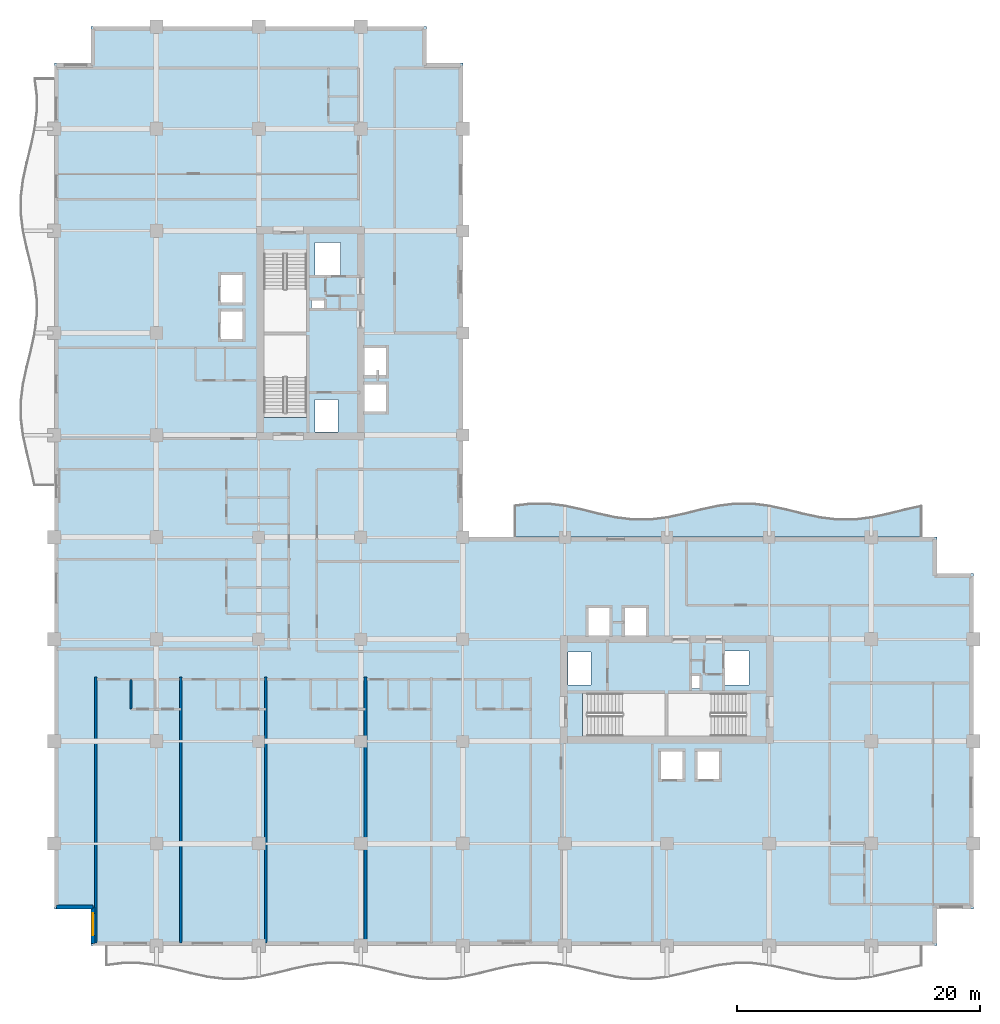
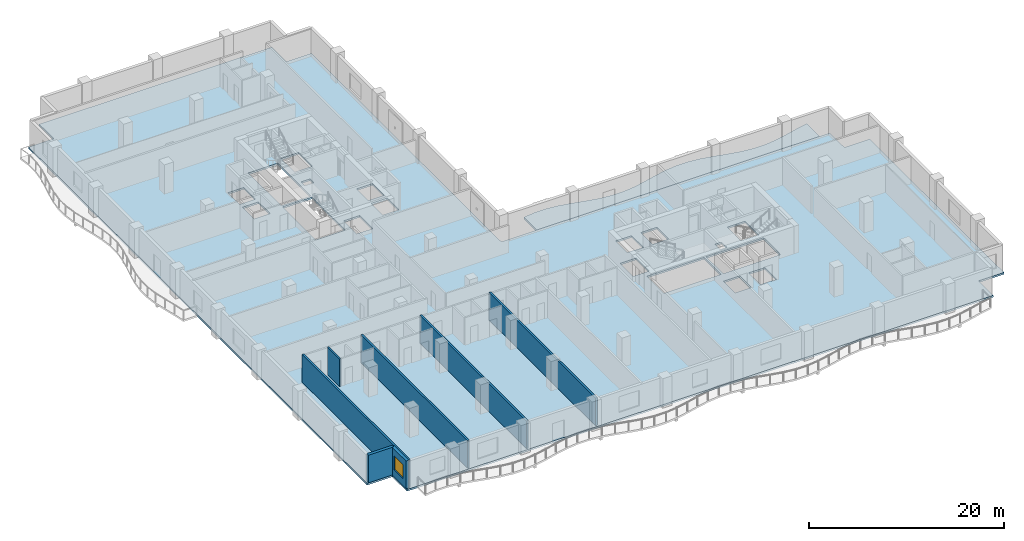
# One storey, part 3 of 15: 7 walls, 2 slabs, 1 window, 1 opening.
"""IFC4 building model written with IfcOpenShell, lengths in metres."""

from ifc_helpers import new_model, si_unit, direction, frame, frame_2d, origin, place, context, subcontext, project, spatial, polyline, rectangle, outline, extrude, material, layer, layer_set, type_object, element, fill, save


model = new_model("IFC4")

# Units and contexts
model_context = context("Model", 3, precision=1e-05, world=origin(), true_north=direction((0.0, 1.0)))
body_context = subcontext(model_context, "Body", "Model", "MODEL_VIEW")
ifc_project = project(units=[si_unit("LENGTHUNIT", "METRE"), si_unit("AREAUNIT", "SQUARE_METRE"), si_unit("VOLUMEUNIT", "CUBIC_METRE"), si_unit("PLANEANGLEUNIT", "RADIAN"), si_unit("MASSUNIT", "GRAM", prefix="KILO")], contexts=[model_context])

# Site, building, storey
site_placement = place(None, origin())
site = spatial("IfcSite", under=ifc_project, at=site_placement, CompositionType="ELEMENT")
building_placement = place(site_placement, origin())
building = spatial("IfcBuilding", under=site, at=building_placement, Name="Koriwani Terraces Tower", CompositionType="ELEMENT")
storey_placement = place(building_placement, frame((0.0, 0.0, 193.89990234375)))
storey = spatial("IfcBuildingStorey", under=building, at=storey_placement, Name="L47", CompositionType="ELEMENT", Elevation=193.89990234375)

# Slabs
ifc_material_1 = material(Name="Concrete C40/50", Category="concrete")
ifc_layer_1 = layer(ifc_material_1, 0.219970703125, Name="Concrete C40/50")
ifc_layer_set_1 = layer_set([ifc_layer_1], Name="Concrete C40/50")
slab_type_1 = type_object("IfcSlabType", Name="SLAB_BALCONY_220", PredefinedType="FLOOR", material=ifc_layer_set_1)
slab_1_placement = place(storey_placement, frame((0.0, 0.0, -0.219970703125)))
element("IfcSlab", 1, at=slab_1_placement, inside=storey, type_object=slab_type_1, Name="L47 Quilted Circular-Arc Balcony (NE)", PredefinedType="FLOOR", context=body_context, shape_type="SweptSolid", body=[
    extrude(outline(polyline([(71.39990234375, 33.60009765625), (70.0, 33.60009765625), (68.60009765625, 33.60009765625), (67.199951171875, 33.60009765625), (65.800048828125, 33.60009765625), (64.39990234375, 33.60009765625), (63.0, 33.60009765625), (61.60009765625, 33.60009765625), (60.199951171875, 33.60009765625), (58.800048828125, 33.60009765625), (57.39990234375, 33.60009765625), (56.0, 33.60009765625), (54.60009765625, 33.60009765625), (53.199951171875, 33.60009765625), (51.800048828125, 33.60009765625), (50.39990234375, 33.60009765625), (49.0, 33.60009765625), (47.60009765625, 33.60009765625), (46.199951171875, 33.60009765625), (44.800048828125, 33.60009765625), (43.39990234375, 33.60009765625), (42.0, 33.60009765625), (40.60009765625, 33.60009765625), (39.199951171875, 33.60009765625), (37.800048828125, 33.60009765625), (37.800048828125, 36.252197265625), (39.199951171875, 36.427001953125), (40.60009765625, 36.427001953125), (42.0, 36.252197265625), (43.39990234375, 35.94970703125), (44.800048828125, 35.600341796875), (46.199951171875, 35.297607421875), (47.60009765625, 35.123046875), (49.0, 35.123046875), (50.39990234375, 35.297607421875), (51.800048828125, 35.600341796875), (53.199951171875, 35.94970703125), (54.60009765625, 36.252197265625), (56.0, 36.427001953125), (57.39990234375, 36.427001953125), (58.800048828125, 36.252197265625), (60.199951171875, 35.94970703125), (61.60009765625, 35.600341796875), (63.0, 35.297607421875), (64.39990234375, 35.123046875), (65.800048828125, 35.123046875), (67.199951171875, 35.297607421875), (68.60009765625, 35.600341796875), (70.0, 35.94970703125), (71.39990234375, 36.252197265625), (71.39990234375, 33.60009765625)])), origin(), (0.0, 0.0, 1.0), 0.219970703125),
])
ifc_layer_2 = layer(ifc_material_1, 0.22998046875, Name="Concrete C40/50")
ifc_layer_set_2 = layer_set([ifc_layer_2], Name="Concrete C40/50")
slab_type_2 = type_object("IfcSlabType", Name="SLAB_RES_TYP_230", PredefinedType="FLOOR", material=ifc_layer_set_2)
slab_2_placement = place(storey_placement, frame((0.0, 0.0, -0.22998046875)))
element("IfcSlab", 2, at=slab_2_placement, inside=storey, type_object=slab_type_2, Name="L47 Structural Floor Slab", PredefinedType="FLOOR", context=body_context, shape_type="SweptSolid", body=[
    extrude(outline(polyline([(3.0, 0.0), (72.60009765625, 0.0), (72.60009765625, 3.0), (75.60009765625, 3.0), (75.60009765625, 30.60009765625), (72.60009765625, 30.60009765625), (72.60009765625, 33.60009765625), (33.60009765625, 33.60009765625), (33.60009765625, 72.60009765625), (30.60009765625, 72.60009765625), (30.60009765625, 75.60009765625), (3.0, 75.60009765625), (3.0, 72.60009765625), (0.0, 72.60009765625), (0.0, 3.0), (3.0, 3.0), (3.0, 0.0)]), holes=[polyline([(17.25, 43.4599609375), (20.75, 43.4599609375), (20.75, 50.25), (17.25, 50.25), (17.25, 43.4599609375)]), polyline([(17.25, 50.5), (20.75, 50.5), (20.75, 57.2900390625), (17.25, 57.2900390625), (17.25, 50.5)]), polyline([(43.4599609375, 17.25), (50.25, 17.25), (50.25, 20.75), (43.4599609375, 20.75), (43.4599609375, 17.25)]), polyline([(50.5, 17.25), (57.2900390625, 17.25), (57.2900390625, 20.75), (50.5, 20.75), (50.5, 17.25)]), polyline([(13.64990234375, 49.85009765625), (15.550048828125, 49.85009765625), (15.550048828125, 52.25), (13.64990234375, 52.25), (13.64990234375, 49.85009765625)]), polyline([(13.64990234375, 52.85009765625), (15.550048828125, 52.85009765625), (15.550048828125, 55.25), (13.64990234375, 55.25), (13.64990234375, 52.85009765625)]), polyline([(49.85009765625, 13.64990234375), (51.75, 13.64990234375), (51.75, 16.050048828125), (49.85009765625, 16.050048828125), (49.85009765625, 13.64990234375)]), polyline([(52.85009765625, 13.64990234375), (54.75, 13.64990234375), (54.75, 16.050048828125), (52.85009765625, 16.050048828125), (52.85009765625, 13.64990234375)]), polyline([(25.449951171875, 43.85009765625), (27.35009765625, 43.85009765625), (27.35009765625, 46.25), (25.449951171875, 46.25), (25.449951171875, 43.85009765625)]), polyline([(25.449951171875, 46.85009765625), (27.35009765625, 46.85009765625), (27.35009765625, 49.25), (25.449951171875, 49.25), (25.449951171875, 46.85009765625)]), polyline([(43.85009765625, 25.449951171875), (45.75, 25.449951171875), (45.75, 27.85009765625), (43.85009765625, 27.85009765625), (43.85009765625, 25.449951171875)]), polyline([(46.85009765625, 25.449951171875), (48.75, 25.449951171875), (48.75, 27.85009765625), (46.85009765625, 27.85009765625), (46.85009765625, 25.449951171875)]), polyline([(21.449951171875, 55.050048828125), (23.550048828125, 55.050048828125), (23.550048828125, 57.85009765625), (21.449951171875, 57.85009765625), (21.449951171875, 55.050048828125)]), polyline([(55.050048828125, 21.449951171875), (57.14990234375, 21.449951171875), (57.14990234375, 24.25), (55.050048828125, 24.25), (55.050048828125, 21.449951171875)]), polyline([(21.449951171875, 42.25), (23.35009765625, 42.25), (23.35009765625, 44.949951171875), (21.449951171875, 44.949951171875), (21.449951171875, 42.25)]), polyline([(42.25, 21.449951171875), (44.14990234375, 21.449951171875), (44.14990234375, 24.14990234375), (42.25, 24.14990234375), (42.25, 21.449951171875)]), polyline([(21.14990234375, 52.419921875), (22.219970703125, 52.419921875), (22.219970703125, 53.179931640625), (21.14990234375, 53.179931640625), (21.14990234375, 52.419921875)]), polyline([(52.419921875, 21.14990234375), (53.179931640625, 21.14990234375), (53.179931640625, 22.219970703125), (52.419921875, 22.219970703125), (52.419921875, 21.14990234375)])]), origin(), (0.0, 0.0, 1.0), 0.22998046875),
])

# Walls
ifc_material_2 = material(Name="Autoclaved Cellular Concrete Blockwork", Category="masonry")
ifc_layer_3 = layer(ifc_material_2, 0.219970703125, Name="Autoclaved Cellular Concrete Blockwork")
ifc_layer_set_3 = layer_set([ifc_layer_3], Name="Autoclaved Cellular Concrete Blockwork")
wall_type_1 = type_object("IfcWallType", Name="WALL_DEMISING_220", PredefinedType="PARTITIONING", material=ifc_layer_set_3)
for number, where, z_axis, x_axis, name in (
    (3, (3.39990234375, 0.199951171875, 0.0), (0.0, 0.0, 1.0), (0.0, 1.0, 0.0), "L47 Interior Wall WRDEM-L47-SW-0"),
    (4, (10.39990234375, 0.199951171875, 0.0), (0.0, 0.0, 1.0), (0.0, 1.0, 0.0), "L47 Interior Wall WRDEM-L47-SW-1"),
    (5, (17.39990234375, 0.199951171875, 0.0), (0.0, 0.0, 1.0), (0.0, 1.0, 0.0), "L47 Interior Wall WRDEM-L47-SW-2"),
    (6, (25.60009765625, 0.199951171875, 0.0), (0.0, 0.0, 1.0), (0.0, 1.0, 0.0), "L47 Interior Wall WRDEM-L47-SW-3"),
):
    element("IfcWall", number, at=place(storey_placement, frame(where, z_axis=z_axis, x_axis=x_axis)), inside=storey, type_object=wall_type_1, Name=name, PredefinedType="PARTITIONING", context=body_context, shape_type="SweptSolid", body=[
        extrude(rectangle(XDim=21.880126953125, YDim=0.219970703125, at=frame_2d((10.93994140625, 0.0))), origin(), (0.0, 0.0, 1.0), 3.47021484375),
    ])

# Wall, opening, window
ifc_material_3 = material(Name="Concrete C50/60", Category="concrete")
ifc_layer_4 = layer(ifc_material_3, 0.35009765625, Name="Concrete C50/60")
ifc_layer_set_4 = layer_set([ifc_layer_4], Name="Concrete C50/60")
wall_type_2 = type_object("IfcWallType", Name="WALL_EXT_BRUTALIST_350", PredefinedType="STANDARD", material=ifc_layer_set_4)
wall_1_placement = place(storey_placement, frame((3.175048828125, 0.175048828125, 0.0), z_axis=(0.0, 0.0, 1.0), x_axis=(0.0, 1.0, 0.0)))
wall_1 = element("IfcWall", 7, at=wall_1_placement, inside=storey, type_object=wall_type_2, Name="L47 Fair-Faced Brutalist Exterior Wall (N0)", PredefinedType="STANDARD", context=body_context, shape_type="SweptSolid", body=[
    extrude(rectangle(XDim=3.0, YDim=0.35009765625, at=frame_2d((1.5, 0.0))), origin(), (0.0, 0.0, 1.0), 3.47021484375),
])
opening_placement = place(wall_1_placement, frame((0.677490234375, 0.0, 0.85009765625)))
opening = element("IfcOpeningElement", 8, at=opening_placement, cuts=wall_1, Name="Opening W-04", PredefinedType="OPENING", context=body_context, shape_type="SweptSolid", body=[
    extrude(rectangle(XDim=1.800048828125, YDim=1.800048828125, at=frame_2d((0.89990234375, 0.89990234375))), frame((0.0, 0.18505859375, 0.0), z_axis=(0.0, -1.0, 0.0), x_axis=(1.0, 0.0, 0.0)), (0.0, 0.0, 1.0), 0.3701171875),
])
ifc_material_4 = material(Name="Tempered Laminated Low-E Glass", Category="glass")
window_type = type_object("IfcWindowType", Name="WIN_RES_BED_1800X1800", PartitioningType="DOUBLE_PANEL_VERTICAL", PredefinedType="WINDOW", material=ifc_material_4)
window_placement = place(opening_placement, origin())
window = element("IfcWindow", 9, at=window_placement, inside=storey, type_object=window_type, Name="L47 Exterior Window (N0-R34)", OverallHeight=1.800048828125, OverallWidth=1.800048828125, PartitioningType="SINGLE_PANEL", PredefinedType="WINDOW", context=body_context, shape_type="SweptSolid", body=[
    extrude(rectangle(XDim=1.800048828125, YDim=1.800048828125, at=frame_2d((0.89990234375, 0.89990234375))), frame((0.0, 0.030029296875, 0.0), z_axis=(0.0, -1.0, 0.0), x_axis=(1.0, 0.0, 0.0)), (0.0, 0.0, 1.0), 0.06005859375),
])
fill(opening, window)

# Walls
wall_2_placement = place(storey_placement, frame((3.175048828125, 3.175048828125, 0.0), z_axis=(0.0, 0.0, 1.0), x_axis=(-1.0, 0.0, 0.0)))
element("IfcWall", 10, at=wall_2_placement, inside=storey, type_object=wall_type_2, Name="L47 Fair-Faced Brutalist Exterior Wall (N1)", PredefinedType="STANDARD", context=body_context, shape_type="SweptSolid", body=[
    extrude(rectangle(XDim=3.0, YDim=0.35009765625, at=frame_2d((1.5, 0.0))), origin(), (0.0, 0.0, 1.0), 3.47021484375),
])
ifc_material_5 = material(Name="Fire-Rated Acoustic Gypsum Partition", Category="masonry")
ifc_layer_5 = layer(ifc_material_5, 0.179931640625, Name="Fire-Rated Acoustic Gypsum Partition")
ifc_layer_set_5 = layer_set([ifc_layer_5], Name="Fire-Rated Acoustic Gypsum Partition")
wall_type_3 = type_object("IfcWallType", Name="WALL_PLUMBING_180", PredefinedType="PLUMBINGWALL", material=ifc_layer_set_5)
wall_3_placement = place(storey_placement, frame((6.300048828125, 19.449951171875, 0.0), z_axis=(0.0, 0.0, 1.0), x_axis=(0.0, 1.0, 0.0)))
element("IfcWall", 11, at=wall_3_placement, inside=storey, type_object=wall_type_3, Name="L47 Interior Wall WRSVCS-L47-SW-0", PredefinedType="PLUMBINGWALL", context=body_context, shape_type="SweptSolid", body=[
    extrude(rectangle(XDim=2.449951171875, YDim=0.179931640625, at=frame_2d((1.22509765625, 0.0))), origin(), (0.0, 0.0, 1.0), 3.47021484375),
])

save(model, "model.ifc")
